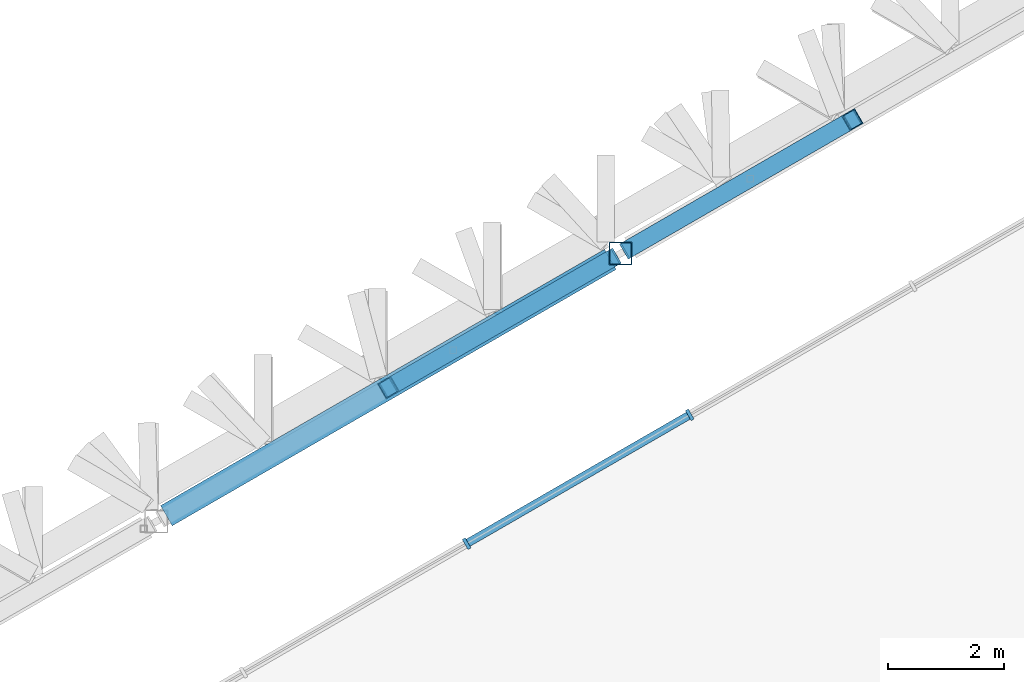
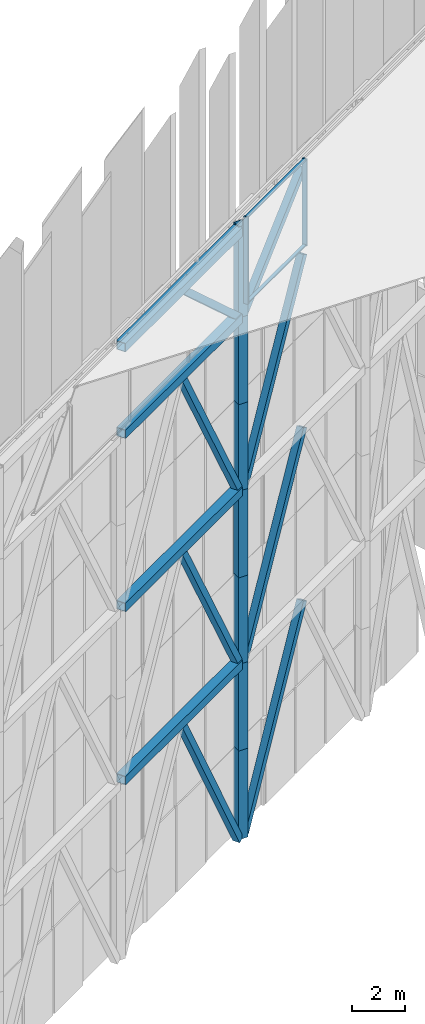
# One storey, part 13 of 45: 23 members, 1 element without a shape of its own.
"""IFC4 building model written with IfcOpenShell, lengths in metres."""

from ifc_helpers import new_model, si_unit, direction, frame, origin, origin_2d, place, context, subcontext, project, spatial, rectangle, hollow_rectangle, extrude, material, layer, layer_set, material_profile, profile_set, type_object, element, aggregate, save


model = new_model("IFC4")

# Units and contexts
model_context = context("Model", 3, precision=1e-05, world=origin(), true_north=direction((0.0, 1.0)))
body_context = subcontext(model_context, "Body", "Model", "MODEL_VIEW")
ifc_project = project(units=[si_unit("LENGTHUNIT", "METRE"), si_unit("AREAUNIT", "SQUARE_METRE"), si_unit("VOLUMEUNIT", "CUBIC_METRE"), si_unit("PLANEANGLEUNIT", "RADIAN"), si_unit("MASSUNIT", "GRAM", prefix="KILO")], contexts=[model_context])

# Site, building, storey
site_placement = place(None, origin())
site = spatial("IfcSite", under=ifc_project, at=site_placement, CompositionType="ELEMENT")
building_placement = place(site_placement, origin())
building = spatial("IfcBuilding", under=site, at=building_placement, Name="Jabali Bay Hotel Tower and Convention Centre", CompositionType="ELEMENT")
storey_placement = place(building_placement, frame((0.0, 0.0, 322.39990234375)))
storey = spatial("IfcBuildingStorey", under=building, at=storey_placement, Name="Crown", CompositionType="ELEMENT", Elevation=322.39990234375)

# Curtain wall, members
ifc_material_1 = material(Name="Aluminium and glass", Category="aluminium")
ifc_layer = layer(ifc_material_1, 0.199951171875)
ifc_layer_set = layer_set([ifc_layer], Name="Aluminium and glass")
curtain_wall_type = type_object("IfcCurtainWallType", Name="CW6 curtain wall", PredefinedType="NOTDEFINED", material=ifc_layer_set)
curtain_wall_placement = place(storey_placement, origin())
curtain_wall = element("IfcCurtainWall", 1, at=curtain_wall_placement, inside=storey, type_object=curtain_wall_type, Name="CW6 lantern glazing 3", PredefinedType="NOTDEFINED")
ifc_material_2 = material(Name="Aluminium", Category="aluminium")
ifc_material_profile_1 = material_profile(ifc_material_2, rectangle(XDim=0.199951171875, YDim=0.06005859375, at=origin_2d()), Name="CW6 mullion 60 x 200")
ifc_profile_set_1 = profile_set([ifc_material_profile_1], Name="Aluminium")
member_type_1 = type_object("IfcMemberType", Name="CW6 mullion 60 x 200", PredefinedType="MULLION", material=ifc_profile_set_1)
member_1_placement = place(storey_placement, frame((75.10546875, 97.55322265625, 28.35009765625), z_axis=(0.0, 0.0, 1.0), x_axis=(0.500000005124, -0.866025400826, 0.0)))
member_1 = element("IfcMember", 2, at=member_1_placement, type_object=member_type_1, Name="CW6 mullion 4", PredefinedType="MULLION", context=body_context, shape_type="SweptSolid", body=[
    extrude(rectangle(XDim=0.199951171875, YDim=0.06005859375, at=origin_2d()), origin(), (0.0, 0.0, 1.0), 4.0),
])
member_2_placement = place(storey_placement, frame((71.265625, 95.336181640625, 28.35009765625), z_axis=(0.0, 0.0, 1.0), x_axis=(0.500000005124, -0.866025400826, 0.0)))
member_2 = element("IfcMember", 3, at=member_2_placement, type_object=member_type_1, Name="CW6 mullion 5", PredefinedType="MULLION", context=body_context, shape_type="SweptSolid", body=[
    extrude(rectangle(XDim=0.199951171875, YDim=0.06005859375, at=origin_2d()), origin(), (0.0, 0.0, 1.0), 4.0),
])
ifc_material_profile_2 = material_profile(ifc_material_2, rectangle(XDim=0.139892578125, YDim=0.06005859375, at=origin_2d()), Name="CW6 transom 60 x 140")
ifc_profile_set_2 = profile_set([ifc_material_profile_2], Name="Aluminium")
member_type_2 = type_object("IfcMemberType", Name="CW6 transom 60 x 140", PredefinedType="USERDEFINED", material=ifc_profile_set_2)
member_3_placement = place(storey_placement, frame((75.07958984375, 97.5380859375, 28.380126953125), z_axis=(-0.866053602686, -0.499951154889, 0.0), x_axis=(0.499951154889, -0.866053602686, 0.0)))
member_3 = element("IfcMember", 4, at=member_3_placement, type_object=member_type_2, Name="CW6 transom 4.1", ObjectType="TRANSOM", PredefinedType="USERDEFINED", context=body_context, shape_type="SweptSolid", body=[
    extrude(rectangle(XDim=0.139892578125, YDim=0.06005859375, at=origin_2d()), origin(), (0.0, 0.0, 1.0), 4.3740234375),
])
member_4_placement = place(storey_placement, frame((75.07958984375, 97.5380859375, 32.320068359375), z_axis=(-0.866053602686, -0.499951154889, 0.0), x_axis=(0.499951154889, -0.866053602686, 0.0)))
member_4 = element("IfcMember", 5, at=member_4_placement, type_object=member_type_2, Name="CW6 transom 4.2", ObjectType="TRANSOM", PredefinedType="USERDEFINED", context=body_context, shape_type="SweptSolid", body=[
    extrude(rectangle(XDim=0.139892578125, YDim=0.06005859375, at=origin_2d()), origin(), (0.0, 0.0, 1.0), 4.3740234375),
])
aggregate(curtain_wall, [member_1, member_2, member_3, member_4])

# Members
ifc_material_3 = material(Name="Steel Q420GJC", Category="steel")
ifc_material_profile_3 = material_profile(ifc_material_3, hollow_rectangle(XDim=0.300048828125, YDim=0.300048828125, WallThickness=0.01611328125, at=origin_2d()), Name="Crown frame brace 300x300x16")
ifc_profile_set_3 = profile_set([ifc_material_profile_3], Name="Steel Q420GJC")
member_type_3 = type_object("IfcMemberType", Name="Crown frame brace 300x300x16", PredefinedType="USERDEFINED", material=ifc_profile_set_3)
member_5_placement = place(storey_placement, frame((74.0859375, 100.4287109375, -0.099853515625), z_axis=(0.415337197949, 0.239785036188, 0.877495383703), x_axis=(-0.499984350684, 0.866034438732, 0.0)))
element("IfcMember", 6, at=member_5_placement, inside=storey, type_object=member_type_3, Name="Crown brace 1 F1.1-F1.2r", ObjectType="CROWN FRAME", PredefinedType="USERDEFINED", context=body_context, shape_type="SweptSolid", body=[
    extrude(hollow_rectangle(XDim=0.300048828125, YDim=0.300048828125, WallThickness=0.01611328125, at=origin_2d()), origin(), (0.0, 0.0, 1.0), 9.197998046875),
])
member_6_placement = place(storey_placement, frame((73.739501953125, 100.228759765625, -0.099853515625), z_axis=(-0.415334554415, -0.239810052348, 0.877489798631), x_axis=(0.50002585838, -0.866010473927, 0.0)))
element("IfcMember", 7, at=member_6_placement, inside=storey, type_object=member_type_3, Name="Crown brace 1 F1.2-F1.3l", ObjectType="CROWN FRAME", PredefinedType="USERDEFINED", context=body_context, shape_type="SweptSolid", body=[
    extrude(hollow_rectangle(XDim=0.300048828125, YDim=0.300048828125, WallThickness=0.01611328125, at=origin_2d()), origin(), (0.0, 0.0, 1.0), 9.1982421875),
])
for number, where, z_axis, x_axis, name in (
    (8, (74.0859375, 100.4287109375, 7.971435546875), (0.419325955277, 0.242087850203, 0.874962408344), (-0.499984350684, 0.866034438732, 0.0), "Crown brace 2 F1.1-F1.2r"),
    (9, (73.739501953125, 100.228759765625, 7.971435546875), (-0.419323234848, -0.242113076869, 0.874956731916), (0.50002585838, -0.866010473927, 0.0), "Crown brace 2 F1.2-F1.3l"),
    (10, (74.0859375, 100.4287109375, 15.94287109375), (0.419325955277, 0.242087850203, 0.874962408344), (-0.499984350684, 0.866034438732, 0.0), "Crown brace 3 F1.1-F1.2r"),
    (11, (73.739501953125, 100.228759765625, 15.94287109375), (-0.419323234848, -0.242113076869, 0.874956731916), (0.50002585838, -0.866010473927, 0.0), "Crown brace 3 F1.2-F1.3l"),
):
    element("IfcMember", number, at=place(storey_placement, frame(where, z_axis=z_axis, x_axis=x_axis)), inside=storey, type_object=member_type_3, Name=name, ObjectType="CROWN FRAME", PredefinedType="USERDEFINED", context=body_context, shape_type="SweptSolid", body=[
        extrude(hollow_rectangle(XDim=0.300048828125, YDim=0.300048828125, WallThickness=0.01611328125, at=origin_2d()), origin(), (0.0, 0.0, 1.0), 9.110595703125),
    ])
for number, where, z_axis, x_axis, name in (
    (12, (74.0859375, 100.4287109375, 23.914306640625), (0.642580200518, 0.370978369854, 0.670422057366), (-0.499984350684, 0.866034438732, 0.0), "Crown brace 4 F1.1-F1.2r"),
    (13, (73.739501953125, 100.228759765625, 23.914306640625), (-0.642570411062, -0.371013782205, 0.67041184375), (0.50002585838, -0.866010473927, 0.0), "Crown brace 4 F1.2-F1.3l"),
):
    element("IfcMember", number, at=place(storey_placement, frame(where, z_axis=z_axis, x_axis=x_axis)), inside=storey, type_object=member_type_3, Name=name, ObjectType="CROWN FRAME", PredefinedType="USERDEFINED", context=body_context, shape_type="SweptSolid", body=[
        extrude(hollow_rectangle(XDim=0.300048828125, YDim=0.300048828125, WallThickness=0.01611328125, at=origin_2d()), origin(), (0.0, 0.0, 1.0), 5.9453125),
    ])
ifc_material_profile_4 = material_profile(ifc_material_3, hollow_rectangle(XDim=0.39990234375, YDim=0.39990234375, WallThickness=0.02001953125, at=origin_2d()), Name="Crown frame member 400x400x20")
ifc_profile_set_4 = profile_set([ifc_material_profile_4], Name="Steel Q420GJC")
member_type_4 = type_object("IfcMemberType", Name="Crown frame member 400x400x20", PredefinedType="USERDEFINED", material=ifc_profile_set_4)
member_7_placement = place(storey_placement, frame((73.912841796875, 100.32861328125, -0.099853515625), z_axis=(0.0, 0.0, 1.0), x_axis=(1.0, 0.0, 0.0)))
element("IfcMember", 14, at=member_7_placement, inside=storey, type_object=member_type_4, Name="Crown post F1.2 1", ObjectType="CROWN FRAME", PredefinedType="USERDEFINED", context=body_context, shape_type="SweptSolid", body=[
    extrude(hollow_rectangle(XDim=0.39990234375, YDim=0.39990234375, WallThickness=0.02001953125, at=origin_2d()), origin(), (0.0, 0.0, 1.0), 4.085693359375),
])
member_8_placement = place(storey_placement, frame((73.912841796875, 100.32861328125, 3.98583984375), z_axis=(0.0, 0.0, 1.0), x_axis=(1.0, 0.0, 0.0)))
element("IfcMember", 15, at=member_8_placement, inside=storey, type_object=member_type_4, Name="Crown post F1.2 2", ObjectType="CROWN FRAME", PredefinedType="USERDEFINED", context=body_context, shape_type="SweptSolid", body=[
    extrude(hollow_rectangle(XDim=0.39990234375, YDim=0.39990234375, WallThickness=0.02001953125, at=origin_2d()), origin(), (0.0, 0.0, 1.0), 3.985595703125),
])
member_9_placement = place(storey_placement, frame((73.912841796875, 100.32861328125, 7.971435546875), z_axis=(0.0, 0.0, 1.0), x_axis=(1.0, 0.0, 0.0)))
element("IfcMember", 16, at=member_9_placement, inside=storey, type_object=member_type_4, Name="Crown post F1.2 3", ObjectType="CROWN FRAME", PredefinedType="USERDEFINED", context=body_context, shape_type="SweptSolid", body=[
    extrude(hollow_rectangle(XDim=0.39990234375, YDim=0.39990234375, WallThickness=0.02001953125, at=origin_2d()), origin(), (0.0, 0.0, 1.0), 3.98583984375),
])
member_10_placement = place(storey_placement, frame((73.912841796875, 100.32861328125, 11.957275390625), z_axis=(0.0, 0.0, 1.0), x_axis=(1.0, 0.0, 0.0)))
element("IfcMember", 17, at=member_10_placement, inside=storey, type_object=member_type_4, Name="Crown post F1.2 4", ObjectType="CROWN FRAME", PredefinedType="USERDEFINED", context=body_context, shape_type="SweptSolid", body=[
    extrude(hollow_rectangle(XDim=0.39990234375, YDim=0.39990234375, WallThickness=0.02001953125, at=origin_2d()), origin(), (0.0, 0.0, 1.0), 3.985595703125),
])
member_11_placement = place(storey_placement, frame((73.912841796875, 100.32861328125, 15.94287109375), z_axis=(0.0, 0.0, 1.0), x_axis=(1.0, 0.0, 0.0)))
element("IfcMember", 18, at=member_11_placement, inside=storey, type_object=member_type_4, Name="Crown post F1.2 5", ObjectType="CROWN FRAME", PredefinedType="USERDEFINED", context=body_context, shape_type="SweptSolid", body=[
    extrude(hollow_rectangle(XDim=0.39990234375, YDim=0.39990234375, WallThickness=0.02001953125, at=origin_2d()), origin(), (0.0, 0.0, 1.0), 3.98583984375),
])
member_12_placement = place(storey_placement, frame((73.912841796875, 100.32861328125, 19.9287109375), z_axis=(0.0, 0.0, 1.0), x_axis=(1.0, 0.0, 0.0)))
element("IfcMember", 19, at=member_12_placement, inside=storey, type_object=member_type_4, Name="Crown post F1.2 6", ObjectType="CROWN FRAME", PredefinedType="USERDEFINED", context=body_context, shape_type="SweptSolid", body=[
    extrude(hollow_rectangle(XDim=0.39990234375, YDim=0.39990234375, WallThickness=0.02001953125, at=origin_2d()), origin(), (0.0, 0.0, 1.0), 3.985595703125),
])
member_13_placement = place(storey_placement, frame((73.912841796875, 100.32861328125, 23.914306640625), z_axis=(0.0, 0.0, 1.0), x_axis=(1.0, 0.0, 0.0)))
element("IfcMember", 20, at=member_13_placement, inside=storey, type_object=member_type_4, Name="Crown post F1.2 7", ObjectType="CROWN FRAME", PredefinedType="USERDEFINED", context=body_context, shape_type="SweptSolid", body=[
    extrude(hollow_rectangle(XDim=0.39990234375, YDim=0.39990234375, WallThickness=0.02001953125, at=origin_2d()), origin(), (0.0, 0.0, 1.0), 4.185791015625),
])
for number, where, z_axis, x_axis, name in (
    (21, (73.739501953125, 100.228759765625, 7.971435546875), (-0.866022456413, -0.500005104963, 0.0), (0.500005104963, -0.866022456413, 0.0), "Crown ring 330.371 F1.2-F1.3"),
    (22, (73.739501953125, 100.228759765625, 15.94287109375), (-0.866022456413, -0.500005104963, 0.0), (0.500005104963, -0.866022456413, 0.0), "Crown ring 338.343 F1.2-F1.3"),
    (23, (73.739501953125, 100.228759765625, 23.914306640625), (-0.866022456413, -0.500005104963, 0.0), (0.500005104963, -0.866022456413, 0.0), "Crown ring 346.314 F1.2-F1.3"),
    (24, (73.739501953125, 100.228759765625, 27.900146484375), (-0.866022456413, -0.500005104963, 0.0), (0.500005104963, -0.866022456413, 0.0), "Crown ring 350.3 F1.2-F1.3"),
):
    element("IfcMember", number, at=place(storey_placement, frame(where, z_axis=z_axis, x_axis=x_axis)), inside=storey, type_object=member_type_4, Name=name, ObjectType="CROWN FRAME", PredefinedType="USERDEFINED", context=body_context, shape_type="SweptSolid", body=[
        extrude(hollow_rectangle(XDim=0.39990234375, YDim=0.39990234375, WallThickness=0.02001953125, at=origin_2d()), origin(), (0.0, 0.0, 1.0), 8.82275390625),
    ])

save(model, "model.ifc")
